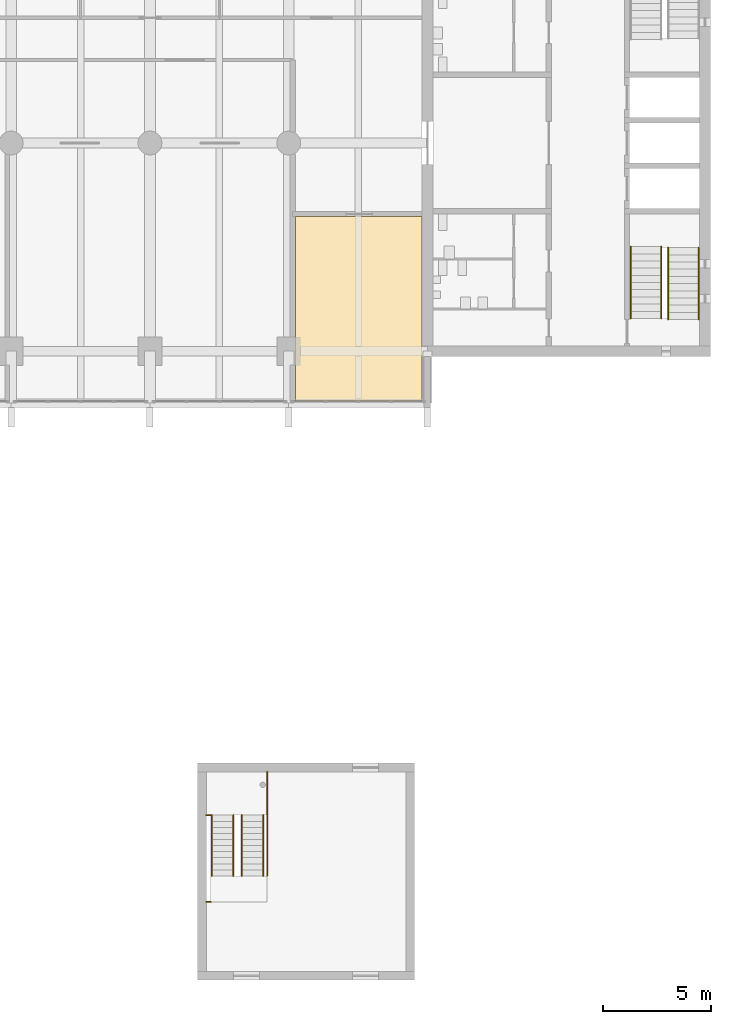
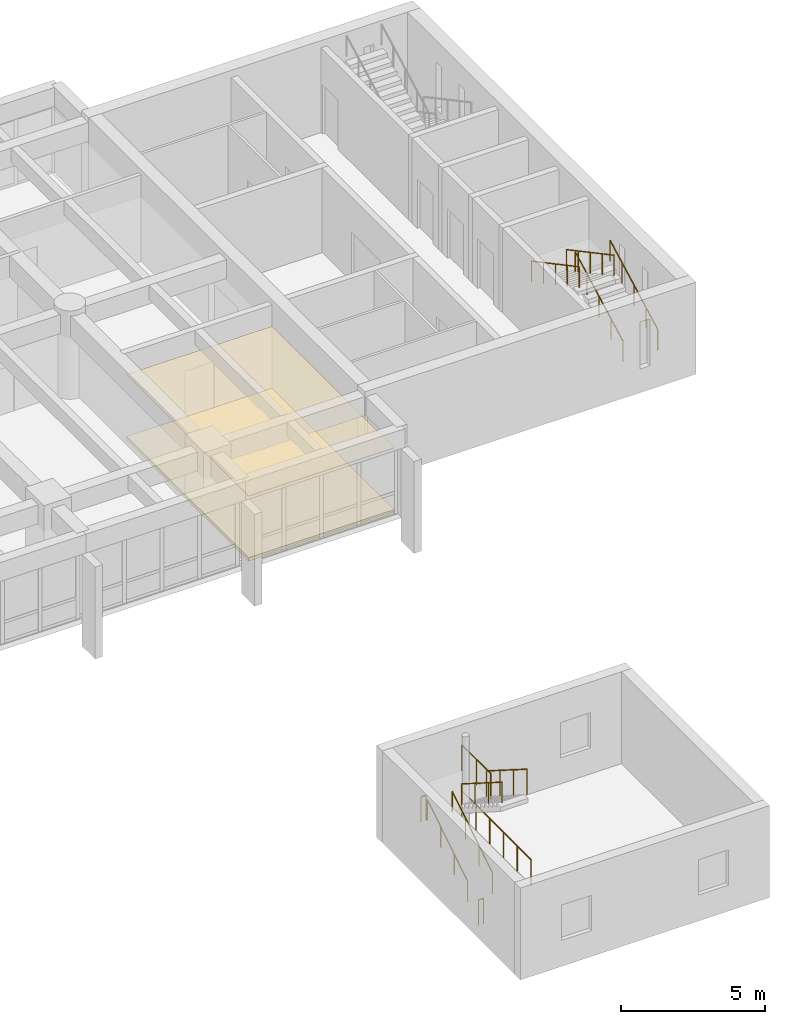
# One storey, part 17 of 19: 12 railings, 2 coverings.
"""IFC4 building model written with IfcOpenShell, lengths in metres."""

from ifc_helpers import new_model, si_unit, direction, frame, origin, origin_2d, place, context, subcontext, project, spatial, polyline, circle, outline, extrude, material, layer, layer_set, type_object, element, save


model = new_model("IFC4")

# Units and contexts
model_context = context("Model", 3, precision=1e-05, world=origin(), true_north=direction((0.0, 1.0)))
body_context = subcontext(model_context, "Body", "Model", "MODEL_VIEW")
ifc_project = project(units=[si_unit("LENGTHUNIT", "METRE"), si_unit("AREAUNIT", "SQUARE_METRE"), si_unit("VOLUMEUNIT", "CUBIC_METRE"), si_unit("PLANEANGLEUNIT", "RADIAN"), si_unit("MASSUNIT", "GRAM", prefix="KILO")], contexts=[model_context])

# Site, building, storey
site_placement = place(None, origin())
site = spatial("IfcSite", under=ifc_project, at=site_placement, CompositionType="ELEMENT")
building_placement = place(site_placement, origin())
building = spatial("IfcBuilding", under=site, at=building_placement, Name="Fogon Plaza Fire Station and Headquarters Tower", CompositionType="ELEMENT")
storey_placement = place(building_placement, frame((0.0, 0.0, 17.10009765625)))
storey = spatial("IfcBuildingStorey", under=building, at=storey_placement, Name="L04", CompositionType="ELEMENT", Elevation=17.10009765625)

# Railings
ifc_material_1 = material(Name="Stainless Steel", Category="steel")
railing_type_1 = type_object("IfcRailingType", Name="Guard Steel 1100", PredefinedType="GUARDRAIL", material=ifc_material_1)
railing_1_placement = place(storey_placement, frame((56.60009765625, 9.39990234375, 0.0)))
element("IfcRailing", 1, at=railing_1_placement, inside=storey, type_object=railing_type_1, Name="rail-DT1-L04-edge", PredefinedType="GUARDRAIL", context=body_context, shape_type="SweptSolid", body=[
    extrude(circle(Radius=0.02392578125, at=origin_2d()), frame((0.0, 0.0, 1.076171875), z_axis=(0.0, 1.0, 0.0), x_axis=(-1.0, 0.0, 0.0)), (0.0, 0.0, 1.0), 4.800048828125),
    extrude(circle(Radius=0.02099609375, at=origin_2d()), origin(), (0.0, 0.0, 1.0), 1.052001953125),
    extrude(circle(Radius=0.02099609375, at=origin_2d()), frame((0.0, 0.9599609375, 0.0)), (0.0, 0.0, 1.0), 1.052001953125),
    extrude(circle(Radius=0.02099609375, at=origin_2d()), frame((0.0, 1.919921875, 0.0)), (0.0, 0.0, 1.0), 1.052001953125),
    extrude(circle(Radius=0.02099609375, at=origin_2d()), frame((0.0, 2.880126953125, 0.0)), (0.0, 0.0, 1.0), 1.052001953125),
    extrude(circle(Radius=0.02099609375, at=origin_2d()), frame((0.0, 3.840087890625, 0.0)), (0.0, 0.0, 1.0), 1.052001953125),
    extrude(circle(Radius=0.02099609375, at=origin_2d()), frame((0.0, 4.800048828125, 0.0)), (0.0, 0.0, 1.0), 1.052001953125),
])
railing_2_placement = place(storey_placement, frame((53.800048828125, 8.199951171875, 0.0)))
element("IfcRailing", 2, at=railing_2_placement, inside=storey, type_object=railing_type_1, Name="rail-DT1-L04-slotmouth", PredefinedType="GUARDRAIL", context=body_context, shape_type="SweptSolid", body=[
    extrude(circle(Radius=0.02392578125, at=origin_2d()), frame((0.0, 0.0, 1.076171875), z_axis=(1.0, 0.0, 0.0), x_axis=(0.0, 1.0, 0.0)), (0.0, 0.0, 1.0), 0.199951171875),
    extrude(circle(Radius=0.02099609375, at=origin_2d()), origin(), (0.0, 0.0, 1.0), 1.052001953125),
    extrude(circle(Radius=0.02099609375, at=origin_2d()), frame((0.199951171875, 0.0, 0.0)), (0.0, 0.0, 1.0), 1.052001953125),
])
railing_3_placement = place(storey_placement, frame((56.429931640625, 12.199951171875, 2.127197265625)))
element("IfcRailing", 3, at=railing_3_placement, inside=storey, type_object=railing_type_1, Name="rail-DT1-L04-4", PredefinedType="GUARDRAIL", context=body_context, shape_type="SweptSolid", body=[
    extrude(circle(Radius=0.02392578125, at=origin_2d()), frame((0.0, 0.0, 1.076171875), z_axis=(0.0, -0.844908973607, 0.534910110503), x_axis=(1.0, 0.0, 0.0)), (0.0, 0.0, 1.0), 3.31396484375),
    extrude(circle(Radius=0.02099609375, at=origin_2d()), origin(), (0.0, 0.0, 1.0), 1.052001953125),
    extrude(circle(Radius=0.02099609375, at=origin_2d()), frame((0.0, -0.933349609375, 0.5908203125)), (0.0, 0.0, 1.0), 1.052001953125),
    extrude(circle(Radius=0.02099609375, at=origin_2d()), frame((0.0, -1.86669921875, 1.181884765625)), (0.0, 0.0, 1.0), 1.052001953125),
    extrude(circle(Radius=0.02099609375, at=origin_2d()), frame((0.0, -2.800048828125, 1.772705078125)), (0.0, 0.0, 1.0), 1.052001953125),
])
railing_4_placement = place(storey_placement, frame((56.60009765625, 12.199951171875, 1.949951171875)))
element("IfcRailing", 4, at=railing_4_placement, inside=storey, type_object=railing_type_1, Name="rail-DT1-L04-half", PredefinedType="GUARDRAIL", context=body_context, shape_type="SweptSolid", body=[
    extrude(circle(Radius=0.02392578125, at=origin_2d()), frame((0.0, 0.0, 1.076171875), z_axis=(0.0, 1.0, 0.0), x_axis=(-1.0, 0.0, 0.0)), (0.0, 0.0, 1.0), 2.0),
    extrude(circle(Radius=0.02099609375, at=origin_2d()), origin(), (0.0, 0.0, 1.0), 1.052001953125),
    extrude(circle(Radius=0.02099609375, at=origin_2d()), frame((0.0, 1.0, 0.0)), (0.0, 0.0, 1.0), 1.052001953125),
    extrude(circle(Radius=0.02099609375, at=origin_2d()), frame((0.0, 2.0, 0.0)), (0.0, 0.0, 1.0), 1.052001953125),
])
railing_5_placement = place(storey_placement, frame((53.800048828125, 12.199951171875, 1.949951171875)))
element("IfcRailing", 5, at=railing_5_placement, inside=storey, type_object=railing_type_1, Name="rail-DT1-L04-slot", PredefinedType="GUARDRAIL", context=body_context, shape_type="SweptSolid", body=[
    extrude(circle(Radius=0.02392578125, at=origin_2d()), frame((0.0, 0.0, 1.076171875), z_axis=(1.0, 0.0, 0.0), x_axis=(0.0, 1.0, 0.0)), (0.0, 0.0, 1.0), 0.199951171875),
    extrude(circle(Radius=0.02099609375, at=origin_2d()), origin(), (0.0, 0.0, 1.0), 1.052001953125),
    extrude(circle(Radius=0.02099609375, at=origin_2d()), frame((0.199951171875, 0.0, 0.0)), (0.0, 0.0, 1.0), 1.052001953125),
])
ifc_material_2 = material(Name="Steel", Category="steel")
railing_type_2 = type_object("IfcRailingType", Name="Stair Handrail 900", PredefinedType="HANDRAIL", material=ifc_material_2)
for number, where, name in (
    (6, (76.5, 35.06005859375, 0.17724609375), "Handrail ST3"),
    (7, (75.10009765625, 35.06005859375, 0.17724609375), "Handrail ST3"),
):
    element("IfcRailing", number, at=place(storey_placement, frame(where)), inside=storey, type_object=railing_type_2, Name=name, PredefinedType="HANDRAIL", context=body_context, shape_type="SweptSolid", body=[
        extrude(circle(Radius=0.02392578125, at=origin_2d()), frame((0.0, 0.0, 0.8759765625), z_axis=(0.0, 0.881829236777, 0.471568867892), x_axis=(-1.0, 0.0, 0.0)), (0.0, 0.0, 1.0), 3.75927734375),
        extrude(circle(Radius=0.02099609375, at=origin_2d()), origin(), (0.0, 0.0, 1.0), 0.851806640625),
        extrude(circle(Radius=0.02099609375, at=origin_2d()), frame((0.0, 0.82861328125, 0.443115234375)), (0.0, 0.0, 1.0), 0.851806640625),
        extrude(circle(Radius=0.02099609375, at=origin_2d()), frame((0.0, 1.657470703125, 0.88623046875)), (0.0, 0.0, 1.0), 0.851806640625),
        extrude(circle(Radius=0.02099609375, at=origin_2d()), frame((0.0, 2.486328125, 1.32958984375)), (0.0, 0.0, 1.0), 0.851806640625),
        extrude(circle(Radius=0.02099609375, at=origin_2d()), frame((0.0, 3.31494140625, 1.772705078125)), (0.0, 0.0, 1.0), 0.851806640625),
    ])
for number, where, name in (
    (8, (73.375, 38.425048828125, 2.127197265625), "Handrail ST3"),
    (9, (74.77490234375, 38.425048828125, 2.127197265625), "Handrail ST3"),
):
    element("IfcRailing", number, at=place(storey_placement, frame(where)), inside=storey, type_object=railing_type_2, Name=name, PredefinedType="HANDRAIL", context=body_context, shape_type="SweptSolid", body=[
        extrude(circle(Radius=0.02392578125, at=origin_2d()), frame((0.0, 0.0, 0.8759765625), z_axis=(0.0, -0.881829236777, 0.471568867892), x_axis=(1.0, 0.0, 0.0)), (0.0, 0.0, 1.0), 3.75927734375),
        extrude(circle(Radius=0.02099609375, at=origin_2d()), origin(), (0.0, 0.0, 1.0), 0.851806640625),
        extrude(circle(Radius=0.02099609375, at=origin_2d()), frame((0.0, -0.82861328125, 0.443115234375)), (0.0, 0.0, 1.0), 0.851806640625),
        extrude(circle(Radius=0.02099609375, at=origin_2d()), frame((0.0, -1.657470703125, 0.88623046875)), (0.0, 0.0, 1.0), 0.851806640625),
        extrude(circle(Radius=0.02099609375, at=origin_2d()), frame((0.0, -2.486328125, 1.32958984375)), (0.0, 0.0, 1.0), 0.851806640625),
        extrude(circle(Radius=0.02099609375, at=origin_2d()), frame((0.0, -3.31494140625, 1.772705078125)), (0.0, 0.0, 1.0), 0.851806640625),
    ])
ifc_material_3 = material(Name="Stainless Steel", Category="steel")
railing_type_3 = type_object("IfcRailingType", Name="Stair Handrail Steel 900", PredefinedType="HANDRAIL", material=ifc_material_3)
for number, where, name in (
    (10, (54.050048828125, 9.39990234375, 0.17724609375), "rail-DT1-L04-1"),
    (11, (55.050048828125, 9.39990234375, 0.17724609375), "rail-DT1-L04-2"),
):
    element("IfcRailing", number, at=place(storey_placement, frame(where)), inside=storey, type_object=railing_type_3, Name=name, PredefinedType="HANDRAIL", context=body_context, shape_type="SweptSolid", body=[
        extrude(circle(Radius=0.02392578125, at=origin_2d()), frame((0.0, 0.0, 0.8759765625), z_axis=(0.0, 0.844908973607, 0.534910110503), x_axis=(-1.0, 0.0, 0.0)), (0.0, 0.0, 1.0), 3.31396484375),
        extrude(circle(Radius=0.02099609375, at=origin_2d()), origin(), (0.0, 0.0, 1.0), 0.851806640625),
        extrude(circle(Radius=0.02099609375, at=origin_2d()), frame((0.0, 0.933349609375, 0.5908203125)), (0.0, 0.0, 1.0), 0.851806640625),
        extrude(circle(Radius=0.02099609375, at=origin_2d()), frame((0.0, 1.86669921875, 1.181884765625)), (0.0, 0.0, 1.0), 0.851806640625),
        extrude(circle(Radius=0.02099609375, at=origin_2d()), frame((0.0, 2.800048828125, 1.772705078125)), (0.0, 0.0, 1.0), 0.851806640625),
    ])
railing_6_placement = place(storey_placement, frame((55.429931640625, 12.199951171875, 2.127197265625)))
element("IfcRailing", 12, at=railing_6_placement, inside=storey, type_object=railing_type_3, Name="rail-DT1-L04-3", PredefinedType="HANDRAIL", context=body_context, shape_type="SweptSolid", body=[
    extrude(circle(Radius=0.02392578125, at=origin_2d()), frame((0.0, 0.0, 0.8759765625), z_axis=(0.0, -0.844908973607, 0.534910110503), x_axis=(1.0, 0.0, 0.0)), (0.0, 0.0, 1.0), 3.31396484375),
    extrude(circle(Radius=0.02099609375, at=origin_2d()), origin(), (0.0, 0.0, 1.0), 0.851806640625),
    extrude(circle(Radius=0.02099609375, at=origin_2d()), frame((0.0, -0.933349609375, 0.5908203125)), (0.0, 0.0, 1.0), 0.851806640625),
    extrude(circle(Radius=0.02099609375, at=origin_2d()), frame((0.0, -1.86669921875, 1.181884765625)), (0.0, 0.0, 1.0), 0.851806640625),
    extrude(circle(Radius=0.02099609375, at=origin_2d()), frame((0.0, -2.800048828125, 1.772705078125)), (0.0, 0.0, 1.0), 0.851806640625),
])

# Coverings
ifc_material_4 = material(Name="Moisture resistant plasterboard ceiling")
ifc_layer_1 = layer(ifc_material_4, 0.034912109375)
ifc_layer_set_1 = layer_set([ifc_layer_1], Name="Moisture resistant plasterboard ceiling")
covering_type_1 = type_object("IfcCoveringType", Name="Tower moisture resistant ceiling", PredefinedType="CEILING", material=ifc_layer_set_1)
covering_1_placement = place(storey_placement, frame((0.0, 0.0, 2.744873046875)))
element("IfcCovering", 13, at=covering_1_placement, inside=storey, type_object=covering_type_1, Name="cov-cl-L04-11", PredefinedType="CEILING", context=body_context, shape_type="SweptSolid", body=[
    extrude(outline(polyline([(63.75, 31.300048828125), (63.75, 39.800048828125), (57.905029296875, 39.800048828125), (57.905029296875, 31.300048828125), (63.75, 31.300048828125)])), origin(), (0.0, 0.0, 1.0), 0.034912109375),
])
ifc_material_5 = material(Name="Raised access floor panels")
ifc_layer_2 = layer(ifc_material_5, 0.14990234375)
ifc_layer_set_2 = layer_set([ifc_layer_2], Name="Raised access floor panels")
covering_type_2 = type_object("IfcCoveringType", Name="Tower raised access floor", PredefinedType="FLOORING", material=ifc_layer_set_2)
covering_2_placement = place(storey_placement, origin())
element("IfcCovering", 14, at=covering_2_placement, inside=storey, type_object=covering_type_2, Name="cov-fl-L04-11", PredefinedType="FLOORING", context=body_context, shape_type="SweptSolid", body=[
    extrude(outline(polyline([(63.75, 31.300048828125), (63.75, 39.800048828125), (57.905029296875, 39.800048828125), (57.905029296875, 31.300048828125), (63.75, 31.300048828125)])), origin(), (0.0, 0.0, 1.0), 0.14990234375),
])

save(model, "model.ifc")
